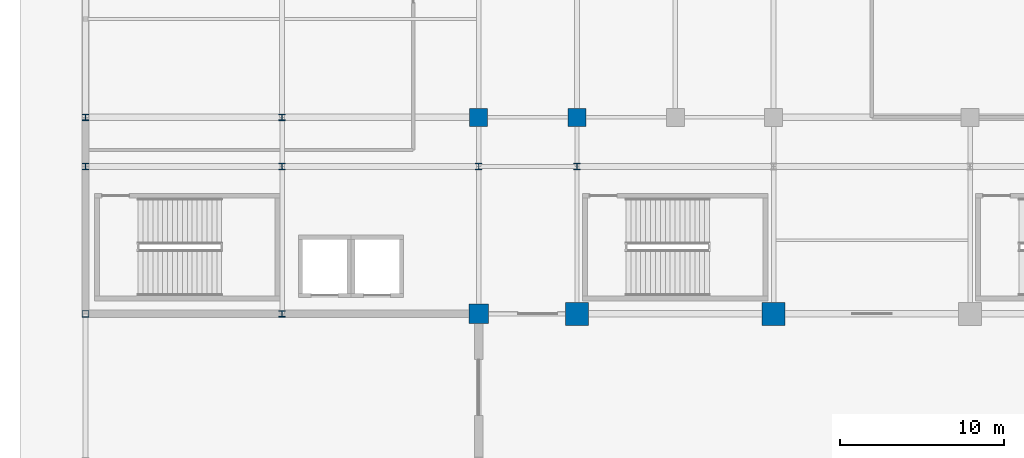
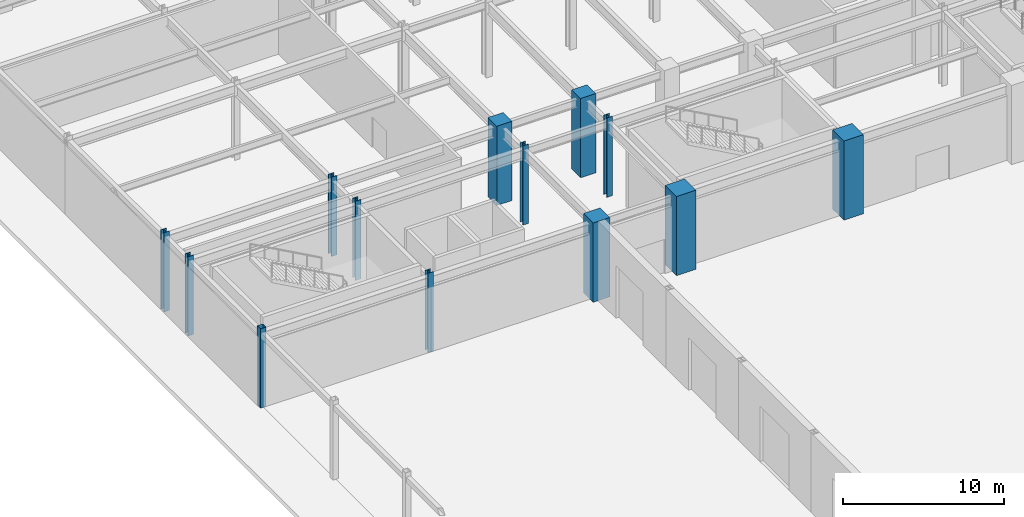
# One storey, part 6 of 44: 13 columns.
"""IFC4 building model written with IfcOpenShell, lengths in metres."""

from ifc_helpers import new_model, si_unit, direction, frame, origin, origin_2d, place, context, subcontext, project, spatial, rectangle, hollow_rectangle, i_section, extrude, material, material_profile, profile_set, type_object, element, save


model = new_model("IFC4")

# Units and contexts
model_context = context("Model", 3, precision=1e-05, world=origin(), true_north=direction((0.0, 1.0)))
body_context = subcontext(model_context, "Body", "Model", "MODEL_VIEW")
ifc_project = project(units=[si_unit("LENGTHUNIT", "METRE"), si_unit("AREAUNIT", "SQUARE_METRE"), si_unit("VOLUMEUNIT", "CUBIC_METRE"), si_unit("PLANEANGLEUNIT", "RADIAN"), si_unit("MASSUNIT", "GRAM", prefix="KILO")], contexts=[model_context])

# Site, building, storey
site_placement = place(None, origin())
site = spatial("IfcSite", under=ifc_project, at=site_placement, CompositionType="ELEMENT")
building_placement = place(site_placement, origin())
building = spatial("IfcBuilding", under=site, at=building_placement, Name="Kaldorvane Square Convention Centre", CompositionType="ELEMENT")
storey_placement = place(building_placement, origin())
storey = spatial("IfcBuildingStorey", under=building, at=storey_placement, Name="L00", CompositionType="ELEMENT", Elevation=0.0)

# Columns
ifc_material_1 = material(Name="Steel ASTM A500 Gr. C", Category="steel")
ifc_material_profile_1 = material_profile(ifc_material_1, hollow_rectangle(XDim=0.406402587890625, YDim=0.406402587890625, WallThickness=0.014801025390625, at=origin_2d()), Name="HSS16X16X5/8")
ifc_profile_set_1 = profile_set([ifc_material_profile_1], Name="Steel ASTM A500 Gr. C")
column_type_1 = type_object("IfcColumnType", Name="COL-HSS-16", PredefinedType="COLUMN", material=ifc_profile_set_1)
column_1_placement = place(storey_placement, frame((0.0, 72.0, 0.0), z_axis=(0.0, 0.0, 1.0), x_axis=(1.0, 0.0, 0.0)))
element("IfcColumn", 1, at=column_1_placement, inside=storey, type_object=column_type_1, Name="Column SC-14 (L00)", PredefinedType="COLUMN", context=body_context, shape_type="SweptSolid", body=[
    extrude(hollow_rectangle(XDim=0.406402587890625, YDim=0.406402587890625, WallThickness=0.014801025390625, at=origin_2d()), origin(), (0.0, 0.0, 1.0), 6.0),
])
ifc_material_2 = material(Name="Concrete f'c = 55 MPa (Normalweight)", Category="concrete")
ifc_material_profile_2 = material_profile(ifc_material_2, rectangle(XDim=1.1999969482421875, YDim=1.1999969482421875, at=origin_2d()), Name="RC1200X1200")
ifc_profile_set_2 = profile_set([ifc_material_profile_2], Name="Concrete f'c = 55 MPa (Normalweight)")
column_type_2 = type_object("IfcColumnType", Name="COL-MEGA-1200", PredefinedType="COLUMN", material=ifc_profile_set_2)
column_2_placement = place(storey_placement, frame((24.0, 72.0, 0.0), z_axis=(0.0, 0.0, 1.0), x_axis=(1.0, 0.0, 0.0)))
element("IfcColumn", 2, at=column_2_placement, inside=storey, type_object=column_type_2, Name="Column MC-02 (L00)", PredefinedType="COLUMN", context=body_context, shape_type="SweptSolid", body=[
    extrude(rectangle(XDim=1.1999969482421875, YDim=1.1999969482421875, at=origin_2d()), origin(), (0.0, 0.0, 1.0), 6.0),
])
ifc_material_profile_3 = material_profile(ifc_material_2, rectangle(XDim=1.399993896484375, YDim=1.399993896484375, at=origin_2d()), Name="RC1400X1400")
ifc_profile_set_3 = profile_set([ifc_material_profile_3], Name="Concrete f'c = 55 MPa (Normalweight)")
column_type_3 = type_object("IfcColumnType", Name="COL-MEGA-1400", PredefinedType="COLUMN", material=ifc_profile_set_3)
for number, where, z_axis, x_axis, name in (
    (3, (30.0, 72.0, 0.0), (0.0, 0.0, 1.0), (1.0, 0.0, 0.0), "Column MC-01 (L00)"),
    (4, (42.0, 72.0, 0.0), (0.0, 0.0, 1.0), (1.0, 0.0, 0.0), "Column MC-01 (L00)"),
):
    element("IfcColumn", number, at=place(storey_placement, frame(where, z_axis=z_axis, x_axis=x_axis)), inside=storey, type_object=column_type_3, Name=name, PredefinedType="COLUMN", context=body_context, shape_type="SweptSolid", body=[
        extrude(rectangle(XDim=1.399993896484375, YDim=1.399993896484375, at=origin_2d()), origin(), (0.0, 0.0, 1.0), 6.0),
    ])
ifc_material_profile_4 = material_profile(ifc_material_2, rectangle(XDim=1.100006103515625, YDim=1.100006103515625, at=origin_2d()), Name="RC1100X1100")
ifc_profile_set_4 = profile_set([ifc_material_profile_4], Name="Concrete f'c = 55 MPa (Normalweight)")
column_type_4 = type_object("IfcColumnType", Name="COL-RC-1100", PredefinedType="COLUMN", material=ifc_profile_set_4)
for number, where, z_axis, x_axis, name in (
    (5, (24.0, 84.0, 0.0), (0.0, 0.0, 1.0), (1.0, 0.0, 0.0), "Column CC-01 (L00)"),
    (6, (30.0, 84.0, 0.0), (0.0, 0.0, 1.0), (1.0, 0.0, 0.0), "Column CC-01 (L00)"),
):
    element("IfcColumn", number, at=place(storey_placement, frame(where, z_axis=z_axis, x_axis=x_axis)), inside=storey, type_object=column_type_4, Name=name, PredefinedType="COLUMN", context=body_context, shape_type="SweptSolid", body=[
        extrude(rectangle(XDim=1.100006103515625, YDim=1.100006103515625, at=origin_2d()), origin(), (0.0, 0.0, 1.0), 6.0),
    ])
ifc_material_3 = material(Name="Steel ASTM A992 Gr. 50", Category="steel")
ifc_material_profile_5 = material_profile(ifc_material_3, i_section(OverallWidth=0.40130615234375, OverallDepth=0.3993072509765625, WebThickness=0.02490234375, FlangeThickness=0.0395965576171875, FilletRadius=0.0305023193359375, at=origin_2d()), Name="W14X211")
ifc_profile_set_5 = profile_set([ifc_material_profile_5], Name="Steel ASTM A992 Gr. 50")
column_type_5 = type_object("IfcColumnType", Name="COL-STL-211", PredefinedType="COLUMN", material=ifc_profile_set_5)
for number, where, z_axis, x_axis, name in (
    (7, (0.0, 81.0, 0.0), (0.0, 0.0, 1.0), (1.0, 0.0, 0.0), "Column SC-08 (L00)"),
    (8, (0.0, 84.0, 0.0), (0.0, 0.0, 1.0), (1.0, 0.0, 0.0), "Column SC-08 (L00)"),
    (9, (12.0, 72.0, 0.0), (0.0, 0.0, 1.0), (1.0, 0.0, 0.0), "Column SC-08 (L00)"),
    (10, (12.0, 81.0, 0.0), (0.0, 0.0, 1.0), (1.0, 0.0, 0.0), "Column SC-08 (L00)"),
    (11, (12.0, 84.0, 0.0), (0.0, 0.0, 1.0), (1.0, 0.0, 0.0), "Column SC-08 (L00)"),
    (12, (24.0, 81.0, 0.0), (0.0, 0.0, 1.0), (1.0, 0.0, 0.0), "Column SC-08 (L00)"),
    (13, (30.0, 81.0, 0.0), (0.0, 0.0, 1.0), (1.0, 0.0, 0.0), "Column SC-08 (L00)"),
):
    element("IfcColumn", number, at=place(storey_placement, frame(where, z_axis=z_axis, x_axis=x_axis)), inside=storey, type_object=column_type_5, Name=name, PredefinedType="COLUMN", context=body_context, shape_type="SweptSolid", body=[
        extrude(i_section(OverallWidth=0.40130615234375, OverallDepth=0.3993072509765625, WebThickness=0.02490234375, FlangeThickness=0.0395965576171875, FilletRadius=0.0305023193359375, at=origin_2d()), origin(), (0.0, 0.0, 1.0), 6.0),
    ])

save(model, "model.ifc")
